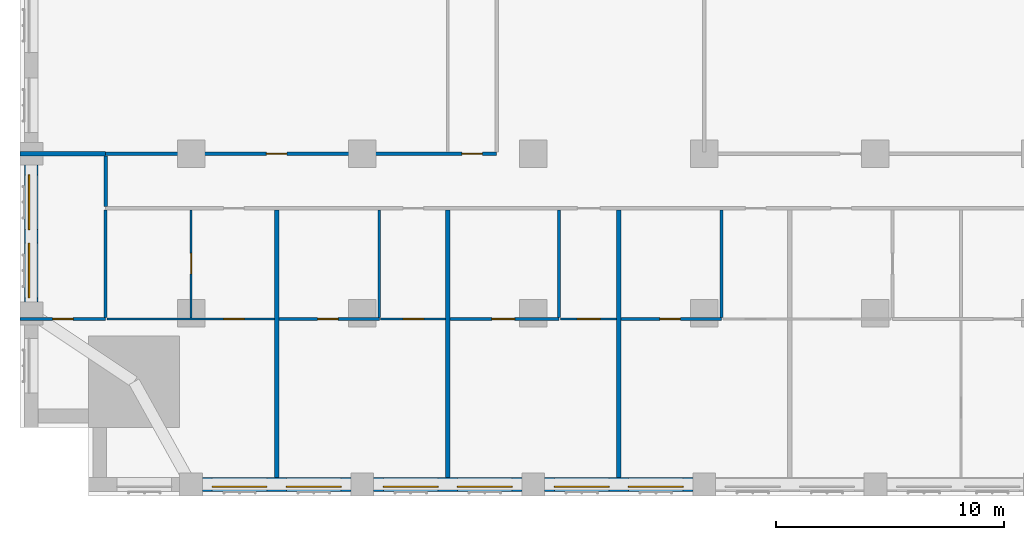
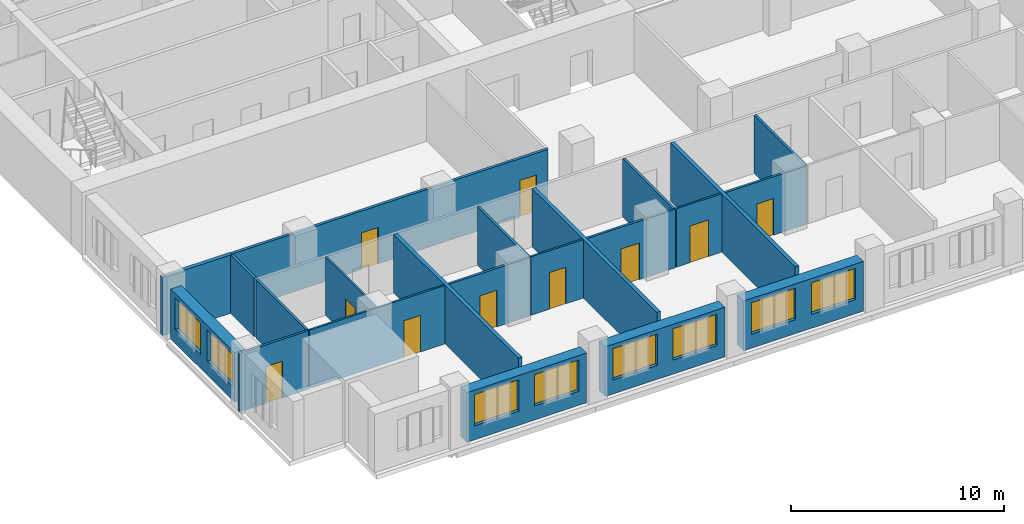
# One storey, part 4 of 14: 22 walls, 10 doors, 8 windows, 18 openings.
"""IFC4 building model written with IfcOpenShell, lengths in metres."""

from ifc_helpers import new_model, si_unit, direction, frame, frame_2d, origin, place, context, subcontext, project, spatial, rectangle, extrude, material, layer, layer_set, type_object, element, fill, save


model = new_model("IFC4")

# Units and contexts
model_context = context("Model", 3, precision=1e-05, world=origin(), true_north=direction((0.0, 1.0)))
body_context = subcontext(model_context, "Body", "Model", "MODEL_VIEW")
ifc_project = project(units=[si_unit("LENGTHUNIT", "METRE"), si_unit("AREAUNIT", "SQUARE_METRE"), si_unit("VOLUMEUNIT", "CUBIC_METRE"), si_unit("PLANEANGLEUNIT", "RADIAN"), si_unit("MASSUNIT", "GRAM", prefix="KILO")], contexts=[model_context])

# Site, building, storey
site_placement = place(None, origin())
site = spatial("IfcSite", under=ifc_project, at=site_placement, CompositionType="ELEMENT")
building_placement = place(site_placement, origin())
building = spatial("IfcBuilding", under=site, at=building_placement, Name="Tamorin Gate", CompositionType="ELEMENT")
storey_placement = place(building_placement, frame((0.0, 0.0, 37.60009765625)))
storey = spatial("IfcBuildingStorey", under=building, at=storey_placement, Name="L07", CompositionType="ELEMENT", Elevation=37.60009765625)

# Wall, openings, windows
ifc_material_1 = material(Name="Precast concrete C40/50", Category="concrete")
ifc_layer_1 = layer(ifc_material_1, 0.60009765625)
ifc_layer_set_1 = layer_set([ifc_layer_1], Name="Precast concrete C40/50")
wall_type_1 = type_object("IfcWallType", Name="Board-marked concrete facade panel 600", PredefinedType="SOLIDWALL", material=ifc_layer_set_1)
wall_1_placement = place(storey_placement, frame((38.0, 38.0, 0.0), z_axis=(0.0, 0.0, 1.0), x_axis=(1.0, 0.0, 0.0)))
wall_1 = element("IfcWall", 1, at=wall_1_placement, inside=storey, type_object=wall_type_1, Name="Facade panel", PredefinedType="SOLIDWALL", context=body_context, shape_type="SweptSolid", body=[
    extrude(rectangle(XDim=6.5, YDim=0.60009765625, at=frame_2d((3.25, 0.0))), origin(), (0.0, 0.0, 1.0), 2.849853515625),
])
opening_1_placement = place(wall_1_placement, frame((0.425048828125, 0.0, 0.800048828125)))
opening_1 = element("IfcOpeningElement", 2, at=opening_1_placement, cuts=wall_1, Name="Opening WN1", PredefinedType="OPENING", context=body_context, shape_type="SweptSolid", body=[
    extrude(rectangle(XDim=2.39990234375, YDim=1.800048828125, at=frame_2d((1.199951171875, 0.89990234375))), frame((0.0, 0.31005859375, 0.0), z_axis=(0.0, -1.0, 0.0), x_axis=(1.0, 0.0, 0.0)), (0.0, 0.0, 1.0), 0.6201171875),
])
opening_2_placement = place(wall_1_placement, frame((3.675048828125, 0.0, 0.800048828125)))
opening_2 = element("IfcOpeningElement", 3, at=opening_2_placement, cuts=wall_1, Name="Opening WN1", PredefinedType="OPENING", context=body_context, shape_type="SweptSolid", body=[
    extrude(rectangle(XDim=2.39990234375, YDim=1.800048828125, at=frame_2d((1.199951171875, 0.89990234375))), frame((0.0, 0.31005859375, 0.0), z_axis=(0.0, -1.0, 0.0), x_axis=(1.0, 0.0, 0.0)), (0.0, 0.0, 1.0), 0.6201171875),
])
ifc_material_2 = material(Name="Clear glass in aluminium frame", Category="aluminium")
window_type = type_object("IfcWindowType", Name="Deep-set window 2400x1800", PartitioningType="SINGLE_PANEL", PredefinedType="WINDOW", material=ifc_material_2)
window_1_placement = place(opening_1_placement, origin())
window_1 = element("IfcWindow", 4, at=window_1_placement, inside=storey, type_object=window_type, Name="Deep-set window", OverallHeight=1.800048828125, OverallWidth=2.39990234375, PartitioningType="SINGLE_PANEL", PredefinedType="WINDOW", context=body_context, shape_type="SweptSolid", body=[
    extrude(rectangle(XDim=2.39990234375, YDim=1.800048828125, at=frame_2d((1.199951171875, 0.89990234375))), frame((0.0, -0.070068359375, 0.0), z_axis=(0.0, -1.0, 0.0), x_axis=(1.0, 0.0, 0.0)), (0.0, 0.0, 1.0), 0.06005859375),
])
fill(opening_1, window_1)
window_2_placement = place(opening_2_placement, origin())
window_2 = element("IfcWindow", 5, at=window_2_placement, inside=storey, type_object=window_type, Name="Deep-set window", OverallHeight=1.800048828125, OverallWidth=2.39990234375, PartitioningType="SINGLE_PANEL", PredefinedType="WINDOW", context=body_context, shape_type="SweptSolid", body=[
    extrude(rectangle(XDim=2.39990234375, YDim=1.800048828125, at=frame_2d((1.199951171875, 0.89990234375))), frame((0.0, -0.070068359375, 0.0), z_axis=(0.0, -1.0, 0.0), x_axis=(1.0, 0.0, 0.0)), (0.0, 0.0, 1.0), 0.06005859375),
])
fill(opening_2, window_2)

wall_2_placement = place(storey_placement, frame((45.5, 38.0, 0.0), z_axis=(0.0, 0.0, 1.0), x_axis=(1.0, 0.0, 0.0)))
wall_2 = element("IfcWall", 6, at=wall_2_placement, inside=storey, type_object=wall_type_1, Name="Facade panel", PredefinedType="SOLIDWALL", context=body_context, shape_type="SweptSolid", body=[
    extrude(rectangle(XDim=6.5, YDim=0.60009765625, at=frame_2d((3.25, 0.0))), origin(), (0.0, 0.0, 1.0), 2.849853515625),
])
opening_3_placement = place(wall_2_placement, frame((0.425048828125, 0.0, 0.800048828125)))
opening_3 = element("IfcOpeningElement", 7, at=opening_3_placement, cuts=wall_2, Name="Opening WN1", PredefinedType="OPENING", context=body_context, shape_type="SweptSolid", body=[
    extrude(rectangle(XDim=2.39990234375, YDim=1.800048828125, at=frame_2d((1.199951171875, 0.89990234375))), frame((0.0, 0.31005859375, 0.0), z_axis=(0.0, -1.0, 0.0), x_axis=(1.0, 0.0, 0.0)), (0.0, 0.0, 1.0), 0.6201171875),
])
opening_4_placement = place(wall_2_placement, frame((3.675048828125, 0.0, 0.800048828125)))
opening_4 = element("IfcOpeningElement", 8, at=opening_4_placement, cuts=wall_2, Name="Opening WN1", PredefinedType="OPENING", context=body_context, shape_type="SweptSolid", body=[
    extrude(rectangle(XDim=2.39990234375, YDim=1.800048828125, at=frame_2d((1.199951171875, 0.89990234375))), frame((0.0, 0.31005859375, 0.0), z_axis=(0.0, -1.0, 0.0), x_axis=(1.0, 0.0, 0.0)), (0.0, 0.0, 1.0), 0.6201171875),
])
window_3_placement = place(opening_3_placement, origin())
window_3 = element("IfcWindow", 9, at=window_3_placement, inside=storey, type_object=window_type, Name="Deep-set window", OverallHeight=1.800048828125, OverallWidth=2.39990234375, PartitioningType="SINGLE_PANEL", PredefinedType="WINDOW", context=body_context, shape_type="SweptSolid", body=[
    extrude(rectangle(XDim=2.39990234375, YDim=1.800048828125, at=frame_2d((1.199951171875, 0.89990234375))), frame((0.0, -0.070068359375, 0.0), z_axis=(0.0, -1.0, 0.0), x_axis=(1.0, 0.0, 0.0)), (0.0, 0.0, 1.0), 0.06005859375),
])
fill(opening_3, window_3)
window_4_placement = place(opening_4_placement, origin())
window_4 = element("IfcWindow", 10, at=window_4_placement, inside=storey, type_object=window_type, Name="Deep-set window", OverallHeight=1.800048828125, OverallWidth=2.39990234375, PartitioningType="SINGLE_PANEL", PredefinedType="WINDOW", context=body_context, shape_type="SweptSolid", body=[
    extrude(rectangle(XDim=2.39990234375, YDim=1.800048828125, at=frame_2d((1.199951171875, 0.89990234375))), frame((0.0, -0.070068359375, 0.0), z_axis=(0.0, -1.0, 0.0), x_axis=(1.0, 0.0, 0.0)), (0.0, 0.0, 1.0), 0.06005859375),
])
fill(opening_4, window_4)

wall_3_placement = place(storey_placement, frame((53.0, 38.0, 0.0), z_axis=(0.0, 0.0, 1.0), x_axis=(1.0, 0.0, 0.0)))
wall_3 = element("IfcWall", 11, at=wall_3_placement, inside=storey, type_object=wall_type_1, Name="Facade panel", PredefinedType="SOLIDWALL", context=body_context, shape_type="SweptSolid", body=[
    extrude(rectangle(XDim=6.5, YDim=0.60009765625, at=frame_2d((3.25, 0.0))), origin(), (0.0, 0.0, 1.0), 2.849853515625),
])
opening_5_placement = place(wall_3_placement, frame((0.425048828125, 0.0, 0.800048828125)))
opening_5 = element("IfcOpeningElement", 12, at=opening_5_placement, cuts=wall_3, Name="Opening WN1", PredefinedType="OPENING", context=body_context, shape_type="SweptSolid", body=[
    extrude(rectangle(XDim=2.39990234375, YDim=1.800048828125, at=frame_2d((1.199951171875, 0.89990234375))), frame((0.0, 0.31005859375, 0.0), z_axis=(0.0, -1.0, 0.0), x_axis=(1.0, 0.0, 0.0)), (0.0, 0.0, 1.0), 0.6201171875),
])
opening_6_placement = place(wall_3_placement, frame((3.675048828125, 0.0, 0.800048828125)))
opening_6 = element("IfcOpeningElement", 13, at=opening_6_placement, cuts=wall_3, Name="Opening WN1", PredefinedType="OPENING", context=body_context, shape_type="SweptSolid", body=[
    extrude(rectangle(XDim=2.39990234375, YDim=1.800048828125, at=frame_2d((1.199951171875, 0.89990234375))), frame((0.0, 0.31005859375, 0.0), z_axis=(0.0, -1.0, 0.0), x_axis=(1.0, 0.0, 0.0)), (0.0, 0.0, 1.0), 0.6201171875),
])
window_5_placement = place(opening_5_placement, origin())
window_5 = element("IfcWindow", 14, at=window_5_placement, inside=storey, type_object=window_type, Name="Deep-set window", OverallHeight=1.800048828125, OverallWidth=2.39990234375, PartitioningType="SINGLE_PANEL", PredefinedType="WINDOW", context=body_context, shape_type="SweptSolid", body=[
    extrude(rectangle(XDim=2.39990234375, YDim=1.800048828125, at=frame_2d((1.199951171875, 0.89990234375))), frame((0.0, -0.070068359375, 0.0), z_axis=(0.0, -1.0, 0.0), x_axis=(1.0, 0.0, 0.0)), (0.0, 0.0, 1.0), 0.06005859375),
])
fill(opening_5, window_5)
window_6_placement = place(opening_6_placement, origin())
window_6 = element("IfcWindow", 15, at=window_6_placement, inside=storey, type_object=window_type, Name="Deep-set window", OverallHeight=1.800048828125, OverallWidth=2.39990234375, PartitioningType="SINGLE_PANEL", PredefinedType="WINDOW", context=body_context, shape_type="SweptSolid", body=[
    extrude(rectangle(XDim=2.39990234375, YDim=1.800048828125, at=frame_2d((1.199951171875, 0.89990234375))), frame((0.0, -0.070068359375, 0.0), z_axis=(0.0, -1.0, 0.0), x_axis=(1.0, 0.0, 0.0)), (0.0, 0.0, 1.0), 0.06005859375),
])
fill(opening_6, window_6)

wall_4_placement = place(storey_placement, frame((30.5, 52.0, 0.0), z_axis=(0.0, 0.0, 1.0), x_axis=(0.0, -1.0, 0.0)))
wall_4 = element("IfcWall", 16, at=wall_4_placement, inside=storey, type_object=wall_type_1, Name="Facade panel", PredefinedType="SOLIDWALL", context=body_context, shape_type="SweptSolid", body=[
    extrude(rectangle(XDim=6.0, YDim=0.60009765625, at=frame_2d((3.0, 0.0))), origin(), (0.0, 0.0, 1.0), 2.849853515625),
])
opening_7_placement = place(wall_4_placement, frame((3.425048828125, 0.0, 0.800048828125)))
opening_7 = element("IfcOpeningElement", 17, at=opening_7_placement, cuts=wall_4, Name="Opening WN1", PredefinedType="OPENING", context=body_context, shape_type="SweptSolid", body=[
    extrude(rectangle(XDim=2.39990234375, YDim=1.800048828125, at=frame_2d((1.199951171875, 0.89990234375))), frame((0.0, 0.31005859375, 0.0), z_axis=(0.0, -1.0, 0.0), x_axis=(1.0, 0.0, 0.0)), (0.0, 0.0, 1.0), 0.6201171875),
])
opening_8_placement = place(wall_4_placement, frame((0.425048828125, 0.0, 0.800048828125)))
opening_8 = element("IfcOpeningElement", 18, at=opening_8_placement, cuts=wall_4, Name="Opening WN1", PredefinedType="OPENING", context=body_context, shape_type="SweptSolid", body=[
    extrude(rectangle(XDim=2.39990234375, YDim=1.800048828125, at=frame_2d((1.199951171875, 0.89990234375))), frame((0.0, 0.31005859375, 0.0), z_axis=(0.0, -1.0, 0.0), x_axis=(1.0, 0.0, 0.0)), (0.0, 0.0, 1.0), 0.6201171875),
])
window_7_placement = place(opening_7_placement, origin())
window_7 = element("IfcWindow", 19, at=window_7_placement, inside=storey, type_object=window_type, Name="Deep-set window", OverallHeight=1.800048828125, OverallWidth=2.39990234375, PartitioningType="SINGLE_PANEL", PredefinedType="WINDOW", context=body_context, shape_type="SweptSolid", body=[
    extrude(rectangle(XDim=2.39990234375, YDim=1.800048828125, at=frame_2d((1.199951171875, 0.89990234375))), frame((0.0, -0.070068359375, 0.0), z_axis=(0.0, -1.0, 0.0), x_axis=(1.0, 0.0, 0.0)), (0.0, 0.0, 1.0), 0.06005859375),
])
fill(opening_7, window_7)
window_8_placement = place(opening_8_placement, origin())
window_8 = element("IfcWindow", 20, at=window_8_placement, inside=storey, type_object=window_type, Name="Deep-set window", OverallHeight=1.800048828125, OverallWidth=2.39990234375, PartitioningType="SINGLE_PANEL", PredefinedType="WINDOW", context=body_context, shape_type="SweptSolid", body=[
    extrude(rectangle(XDim=2.39990234375, YDim=1.800048828125, at=frame_2d((1.199951171875, 0.89990234375))), frame((0.0, -0.070068359375, 0.0), z_axis=(0.0, -1.0, 0.0), x_axis=(1.0, 0.0, 0.0)), (0.0, 0.0, 1.0), 0.06005859375),
])
fill(opening_8, window_8)

# Wall, openings, doors
ifc_material_3 = material(Name="Gypsum board partition")
ifc_layer_2 = layer(ifc_material_3, 0.14990234375)
ifc_layer_set_2 = layer_set([ifc_layer_2], Name="Corridor wall 150")
wall_type_2 = type_object("IfcWallType", Name="Corridor wall 150", PredefinedType="PARTITIONING", material=ifc_layer_set_2)
wall_5_placement = place(storey_placement, frame((33.75, 52.5, 0.0), z_axis=(0.0, 0.0, 1.0), x_axis=(1.0, 0.0, 0.0)))
wall_5 = element("IfcWall", 21, at=wall_5_placement, inside=storey, type_object=wall_type_2, Name="Corridor wall 150", PredefinedType="PARTITIONING", context=body_context, shape_type="SweptSolid", body=[
    extrude(rectangle(XDim=17.14990234375, YDim=0.14990234375, at=frame_2d((8.574951171875, 0.0))), origin(), (0.0, 0.0, 1.0), 3.349853515625),
])
opening_9_placement = place(wall_5_placement, frame((7.050048828125, 0.0, 0.0)))
opening_9 = element("IfcOpeningElement", 22, at=opening_9_placement, cuts=wall_5, Name="Opening DH2067", PredefinedType="OPENING", context=body_context, shape_type="SweptSolid", body=[
    extrude(rectangle(XDim=0.89990234375, YDim=2.10009765625, at=frame_2d((0.449951171875, 1.050048828125))), frame((0.0, 0.0849609375, 0.0), z_axis=(0.0, -1.0, 0.0), x_axis=(1.0, 0.0, 0.0)), (0.0, 0.0, 1.0), 0.169921875),
])
opening_10_placement = place(wall_5_placement, frame((15.625, 0.0, 0.0)))
opening_10 = element("IfcOpeningElement", 23, at=opening_10_placement, cuts=wall_5, Name="Opening DH2068", PredefinedType="OPENING", context=body_context, shape_type="SweptSolid", body=[
    extrude(rectangle(XDim=0.89990234375, YDim=2.10009765625, at=frame_2d((0.449951171875, 1.050048828125))), frame((0.0, 0.0849609375, 0.0), z_axis=(0.0, -1.0, 0.0), x_axis=(1.0, 0.0, 0.0)), (0.0, 0.0, 1.0), 0.169921875),
])
ifc_material_4 = material(Name="Timber door leaf", Category="wood")
door_type_1 = type_object("IfcDoorType", Name="Door 900 x 2100 FD30S", OperationType="NOTDEFINED", PredefinedType="DOOR", material=ifc_material_4)
door_1_placement = place(opening_9_placement, origin())
door_1 = element("IfcDoor", 24, at=door_1_placement, inside=storey, type_object=door_type_1, Name="Door DH2067", OperationType="SINGLE_SWING_LEFT", OverallHeight=2.10009765625, OverallWidth=0.89990234375, PredefinedType="DOOR", context=body_context, shape_type="SweptSolid", body=[
    extrude(rectangle(XDim=0.89990234375, YDim=2.10009765625, at=frame_2d((0.449951171875, 1.050048828125))), frame((0.0, 0.02490234375, 0.0), z_axis=(0.0, -1.0, 0.0), x_axis=(1.0, 0.0, 0.0)), (0.0, 0.0, 1.0), 0.050048828125),
])
fill(opening_9, door_1)
door_2_placement = place(opening_10_placement, origin())
door_2 = element("IfcDoor", 25, at=door_2_placement, inside=storey, type_object=door_type_1, Name="Door DH2068", OperationType="SINGLE_SWING_LEFT", OverallHeight=2.10009765625, OverallWidth=0.89990234375, PredefinedType="DOOR", context=body_context, shape_type="SweptSolid", body=[
    extrude(rectangle(XDim=0.89990234375, YDim=2.10009765625, at=frame_2d((0.449951171875, 1.050048828125))), frame((0.0, 0.02490234375, 0.0), z_axis=(0.0, -1.0, 0.0), x_axis=(1.0, 0.0, 0.0)), (0.0, 0.0, 1.0), 0.050048828125),
])
fill(opening_10, door_2)

# Walls
wall_6_placement = place(storey_placement, frame((33.75, 50.175048828125, 0.0), z_axis=(0.0, 0.0, 1.0), x_axis=(0.0, 1.0, 0.0)))
element("IfcWall", 26, at=wall_6_placement, inside=storey, type_object=wall_type_2, Name="Corridor wall 150", PredefinedType="PARTITIONING", context=body_context, shape_type="SweptSolid", body=[
    extrude(rectangle(XDim=2.224853515625, YDim=0.14990234375, at=frame_2d((1.1123046875, 0.0))), origin(), (0.0, 0.0, 1.0), 3.349853515625),
])
ifc_layer_3 = layer(ifc_material_3, 0.199951171875)
ifc_layer_set_3 = layer_set([ifc_layer_3], Name="Demising wall 200")
wall_type_3 = type_object("IfcWallType", Name="Demising wall 200", PredefinedType="PARTITIONING", material=ifc_layer_set_3)
wall_7_placement = place(storey_placement, frame((30.0, 52.5, 0.0), z_axis=(0.0, 0.0, 1.0), x_axis=(1.0, 0.0, 0.0)))
element("IfcWall", 27, at=wall_7_placement, inside=storey, type_object=wall_type_3, Name="Demising wall 200", PredefinedType="PARTITIONING", context=body_context, shape_type="SweptSolid", body=[
    extrude(rectangle(XDim=3.75, YDim=0.199951171875, at=frame_2d((1.875, 0.0))), origin(), (0.0, 0.0, 1.0), 3.349853515625),
])
for number, where, z_axis, x_axis, name in (
    (28, (41.25, 38.31005859375, 0.0), (0.0, 0.0, 1.0), (0.0, 1.0, 0.0), "Demising wall 200"),
    (29, (48.75, 38.31005859375, 0.0), (0.0, 0.0, 1.0), (0.0, 1.0, 0.0), "Demising wall 200"),
    (30, (56.25, 38.31005859375, 0.0), (0.0, 0.0, 1.0), (0.0, 1.0, 0.0), "Demising wall 200"),
):
    element("IfcWall", number, at=place(storey_placement, frame(where, z_axis=z_axis, x_axis=x_axis)), inside=storey, type_object=wall_type_3, Name=name, PredefinedType="PARTITIONING", context=body_context, shape_type="SweptSolid", body=[
        extrude(rectangle(XDim=11.71484375, YDim=0.199951171875, at=frame_2d((5.857421875, 0.0))), origin(), (0.0, 0.0, 1.0), 3.349853515625),
    ])

# Wall, opening, door
ifc_layer_4 = layer(ifc_material_3, 0.10009765625)
ifc_layer_set_4 = layer_set([ifc_layer_4], Name="Room partition 100")
wall_type_4 = type_object("IfcWallType", Name="Room partition 100", PredefinedType="PARTITIONING", material=ifc_layer_set_4)
wall_8_placement = place(storey_placement, frame((33.8125, 45.25, 0.0), z_axis=(0.0, 0.0, 1.0), x_axis=(1.0, 0.0, 0.0)))
wall_8 = element("IfcWall", 31, at=wall_8_placement, inside=storey, type_object=wall_type_4, Name="Room partition 100", PredefinedType="PARTITIONING", context=body_context, shape_type="SweptSolid", body=[
    extrude(rectangle(XDim=7.33740234375, YDim=0.10009765625, at=frame_2d((3.668701171875, 0.0))), origin(), (0.0, 0.0, 1.0), 3.349853515625),
])
opening_11_placement = place(wall_8_placement, frame((5.112548828125, 0.0, 0.0)))
opening_11 = element("IfcOpeningElement", 32, at=opening_11_placement, cuts=wall_8, Name="Opening DH2004", PredefinedType="OPENING", context=body_context, shape_type="SweptSolid", body=[
    extrude(rectangle(XDim=0.89990234375, YDim=2.10009765625, at=frame_2d((0.449951171875, 1.050048828125))), frame((0.0, 0.06005859375, 0.0), z_axis=(0.0, -1.0, 0.0), x_axis=(1.0, 0.0, 0.0)), (0.0, 0.0, 1.0), 0.1201171875),
])
door_type_2 = type_object("IfcDoorType", Name="Door 900 x 2100", OperationType="NOTDEFINED", PredefinedType="DOOR", material=ifc_material_4)
door_3_placement = place(opening_11_placement, origin())
door_3 = element("IfcDoor", 33, at=door_3_placement, inside=storey, type_object=door_type_2, Name="Door DH2004", OperationType="SINGLE_SWING_LEFT", OverallHeight=2.10009765625, OverallWidth=0.89990234375, PredefinedType="DOOR", context=body_context, shape_type="SweptSolid", body=[
    extrude(rectangle(XDim=0.89990234375, YDim=2.10009765625, at=frame_2d((0.449951171875, 1.050048828125))), frame((0.0, 0.02490234375, 0.0), z_axis=(0.0, -1.0, 0.0), x_axis=(1.0, 0.0, 0.0)), (0.0, 0.0, 1.0), 0.050048828125),
])
fill(opening_11, door_3)

wall_9_placement = place(storey_placement, frame((45.8125, 45.25, 0.0), z_axis=(0.0, 0.0, 1.0), x_axis=(1.0, 0.0, 0.0)))
wall_9 = element("IfcWall", 34, at=wall_9_placement, inside=storey, type_object=wall_type_4, Name="Room partition 100", PredefinedType="PARTITIONING", context=body_context, shape_type="SweptSolid", body=[
    extrude(rectangle(XDim=2.83740234375, YDim=0.10009765625, at=frame_2d((1.418701171875, 0.0))), origin(), (0.0, 0.0, 1.0), 3.349853515625),
])
opening_12_placement = place(wall_9_placement, frame((0.987548828125, 0.0, 0.0)))
opening_12 = element("IfcOpeningElement", 35, at=opening_12_placement, cuts=wall_9, Name="Opening DH2007", PredefinedType="OPENING", context=body_context, shape_type="SweptSolid", body=[
    extrude(rectangle(XDim=0.89990234375, YDim=2.10009765625, at=frame_2d((0.449951171875, 1.050048828125))), frame((0.0, 0.06005859375, 0.0), z_axis=(0.0, -1.0, 0.0), x_axis=(1.0, 0.0, 0.0)), (0.0, 0.0, 1.0), 0.1201171875),
])
door_4_placement = place(opening_12_placement, origin())
door_4 = element("IfcDoor", 36, at=door_4_placement, inside=storey, type_object=door_type_2, Name="Door DH2007", OperationType="SINGLE_SWING_LEFT", OverallHeight=2.10009765625, OverallWidth=0.89990234375, PredefinedType="DOOR", context=body_context, shape_type="SweptSolid", body=[
    extrude(rectangle(XDim=0.89990234375, YDim=2.10009765625, at=frame_2d((0.449951171875, 1.050048828125))), frame((0.0, 0.02490234375, 0.0), z_axis=(0.0, -1.0, 0.0), x_axis=(1.0, 0.0, 0.0)), (0.0, 0.0, 1.0), 0.050048828125),
])
fill(opening_12, door_4)

wall_10_placement = place(storey_placement, frame((53.6875, 45.25, 0.0), z_axis=(0.0, 0.0, 1.0), x_axis=(1.0, 0.0, 0.0)))
wall_10 = element("IfcWall", 37, at=wall_10_placement, inside=storey, type_object=wall_type_4, Name="Room partition 100", PredefinedType="PARTITIONING", context=body_context, shape_type="SweptSolid", body=[
    extrude(rectangle(XDim=2.46240234375, YDim=0.10009765625, at=frame_2d((1.231201171875, 0.0))), origin(), (0.0, 0.0, 1.0), 3.349853515625),
])
opening_13_placement = place(wall_10_placement, frame((0.75, 0.0, 0.0)))
opening_13 = element("IfcOpeningElement", 38, at=opening_13_placement, cuts=wall_10, Name="Opening DH2010", PredefinedType="OPENING", context=body_context, shape_type="SweptSolid", body=[
    extrude(rectangle(XDim=1.0, YDim=2.10009765625, at=frame_2d((0.5, 1.050048828125))), frame((0.0, 0.06005859375, 0.0), z_axis=(0.0, -1.0, 0.0), x_axis=(1.0, 0.0, 0.0)), (0.0, 0.0, 1.0), 0.1201171875),
])
door_type_3 = type_object("IfcDoorType", Name="Door 1000 x 2100", OperationType="NOTDEFINED", PredefinedType="DOOR", material=ifc_material_4)
door_5_placement = place(opening_13_placement, origin())
door_5 = element("IfcDoor", 39, at=door_5_placement, inside=storey, type_object=door_type_3, Name="Door DH2010", OperationType="SINGLE_SWING_LEFT", OverallHeight=2.10009765625, OverallWidth=1.0, PredefinedType="DOOR", context=body_context, shape_type="SweptSolid", body=[
    extrude(rectangle(XDim=1.0, YDim=2.10009765625, at=frame_2d((0.5, 1.050048828125))), frame((0.0, 0.02490234375, 0.0), z_axis=(0.0, -1.0, 0.0), x_axis=(1.0, 0.0, 0.0)), (0.0, 0.0, 1.0), 0.050048828125),
])
fill(opening_13, door_5)

wall_11_placement = place(storey_placement, frame((37.5, 45.300048828125, 0.0), z_axis=(0.0, 0.0, 1.0), x_axis=(0.0, 1.0, 0.0)))
wall_11 = element("IfcWall", 40, at=wall_11_placement, inside=storey, type_object=wall_type_4, Name="Room partition 100", PredefinedType="PARTITIONING", context=body_context, shape_type="SweptSolid", body=[
    extrude(rectangle(XDim=4.724853515625, YDim=0.10009765625, at=frame_2d((2.3623046875, 0.0))), origin(), (0.0, 0.0, 1.0), 3.349853515625),
])
opening_14_placement = place(wall_11_placement, frame((1.925048828125, 0.0, 0.0)))
opening_14 = element("IfcOpeningElement", 41, at=opening_14_placement, cuts=wall_11, Name="Opening DH2002", PredefinedType="OPENING", context=body_context, shape_type="SweptSolid", body=[
    extrude(rectangle(XDim=0.89990234375, YDim=2.10009765625, at=frame_2d((0.449951171875, 1.050048828125))), frame((0.0, 0.06005859375, 0.0), z_axis=(0.0, -1.0, 0.0), x_axis=(1.0, 0.0, 0.0)), (0.0, 0.0, 1.0), 0.1201171875),
])
door_6_placement = place(opening_14_placement, origin())
door_6 = element("IfcDoor", 42, at=door_6_placement, inside=storey, type_object=door_type_2, Name="Door DH2002", OperationType="SINGLE_SWING_RIGHT", OverallHeight=2.10009765625, OverallWidth=0.89990234375, PredefinedType="DOOR", context=body_context, shape_type="SweptSolid", body=[
    extrude(rectangle(XDim=0.89990234375, YDim=2.10009765625, at=frame_2d((0.449951171875, 1.050048828125))), frame((0.0, 0.02490234375, 0.0), z_axis=(0.0, -1.0, 0.0), x_axis=(1.0, 0.0, 0.0)), (0.0, 0.0, 1.0), 0.050048828125),
])
fill(opening_14, door_6)

ifc_layer_5 = layer(ifc_material_3, 0.125)
ifc_layer_set_5 = layer_set([ifc_layer_5], Name="Wet wall 125")
wall_type_5 = type_object("IfcWallType", Name="Wet wall 125", PredefinedType="PARTITIONING", material=ifc_layer_set_5)
wall_12_placement = place(storey_placement, frame((30.0, 45.25, 0.0), z_axis=(0.0, 0.0, 1.0), x_axis=(1.0, 0.0, 0.0)))
wall_12 = element("IfcWall", 43, at=wall_12_placement, inside=storey, type_object=wall_type_5, Name="Wet wall 125", PredefinedType="PARTITIONING", context=body_context, shape_type="SweptSolid", body=[
    extrude(rectangle(XDim=3.75, YDim=0.125, at=frame_2d((1.875, 0.0))), origin(), (0.0, 0.0, 1.0), 3.349853515625),
])
opening_15_placement = place(wall_12_placement, frame((1.425048828125, 0.0, 0.0)))
opening_15 = element("IfcOpeningElement", 44, at=opening_15_placement, cuts=wall_12, Name="Opening DH2001", PredefinedType="OPENING", context=body_context, shape_type="SweptSolid", body=[
    extrude(rectangle(XDim=0.89990234375, YDim=2.10009765625, at=frame_2d((0.449951171875, 1.050048828125))), frame((0.0, 0.072509765625, 0.0), z_axis=(0.0, -1.0, 0.0), x_axis=(1.0, 0.0, 0.0)), (0.0, 0.0, 1.0), 0.14501953125),
])
door_7_placement = place(opening_15_placement, origin())
door_7 = element("IfcDoor", 45, at=door_7_placement, inside=storey, type_object=door_type_2, Name="Door DH2001", OperationType="SINGLE_SWING_LEFT", OverallHeight=2.10009765625, OverallWidth=0.89990234375, PredefinedType="DOOR", context=body_context, shape_type="SweptSolid", body=[
    extrude(rectangle(XDim=0.89990234375, YDim=2.10009765625, at=frame_2d((0.449951171875, 1.050048828125))), frame((0.0, 0.02490234375, 0.0), z_axis=(0.0, -1.0, 0.0), x_axis=(1.0, 0.0, 0.0)), (0.0, 0.0, 1.0), 0.050048828125),
])
fill(opening_15, door_7)

wall_13_placement = place(storey_placement, frame((41.35009765625, 45.25, 0.0), z_axis=(0.0, 0.0, 1.0), x_axis=(1.0, 0.0, 0.0)))
wall_13 = element("IfcWall", 46, at=wall_13_placement, inside=storey, type_object=wall_type_5, Name="Wet wall 125", PredefinedType="PARTITIONING", context=body_context, shape_type="SweptSolid", body=[
    extrude(rectangle(XDim=4.39990234375, YDim=0.125, at=frame_2d((2.199951171875, 0.0))), origin(), (0.0, 0.0, 1.0), 3.349853515625),
])
opening_16_placement = place(wall_13_placement, frame((1.699951171875, 0.0, 0.0)))
opening_16 = element("IfcOpeningElement", 47, at=opening_16_placement, cuts=wall_13, Name="Opening DH2005", PredefinedType="OPENING", context=body_context, shape_type="SweptSolid", body=[
    extrude(rectangle(XDim=0.89990234375, YDim=2.10009765625, at=frame_2d((0.449951171875, 1.050048828125))), frame((0.0, 0.072509765625, 0.0), z_axis=(0.0, -1.0, 0.0), x_axis=(1.0, 0.0, 0.0)), (0.0, 0.0, 1.0), 0.14501953125),
])
door_8_placement = place(opening_16_placement, origin())
door_8 = element("IfcDoor", 48, at=door_8_placement, inside=storey, type_object=door_type_2, Name="Door DH2005", OperationType="SINGLE_SWING_LEFT", OverallHeight=2.10009765625, OverallWidth=0.89990234375, PredefinedType="DOOR", context=body_context, shape_type="SweptSolid", body=[
    extrude(rectangle(XDim=0.89990234375, YDim=2.10009765625, at=frame_2d((0.449951171875, 1.050048828125))), frame((0.0, 0.02490234375, 0.0), z_axis=(0.0, -1.0, 0.0), x_axis=(1.0, 0.0, 0.0)), (0.0, 0.0, 1.0), 0.050048828125),
])
fill(opening_16, door_8)

wall_14_placement = place(storey_placement, frame((48.85009765625, 45.25, 0.0), z_axis=(0.0, 0.0, 1.0), x_axis=(1.0, 0.0, 0.0)))
wall_14 = element("IfcWall", 49, at=wall_14_placement, inside=storey, type_object=wall_type_5, Name="Wet wall 125", PredefinedType="PARTITIONING", context=body_context, shape_type="SweptSolid", body=[
    extrude(rectangle(XDim=4.77490234375, YDim=0.125, at=frame_2d((2.387451171875, 0.0))), origin(), (0.0, 0.0, 1.0), 3.349853515625),
])
opening_17_placement = place(wall_14_placement, frame((1.83740234375, 0.0, 0.0)))
opening_17 = element("IfcOpeningElement", 50, at=opening_17_placement, cuts=wall_14, Name="Opening DH2008", PredefinedType="OPENING", context=body_context, shape_type="SweptSolid", body=[
    extrude(rectangle(XDim=1.0, YDim=2.10009765625, at=frame_2d((0.5, 1.050048828125))), frame((0.0, 0.072509765625, 0.0), z_axis=(0.0, -1.0, 0.0), x_axis=(1.0, 0.0, 0.0)), (0.0, 0.0, 1.0), 0.14501953125),
])
door_9_placement = place(opening_17_placement, origin())
door_9 = element("IfcDoor", 51, at=door_9_placement, inside=storey, type_object=door_type_3, Name="Door DH2008", OperationType="SINGLE_SWING_LEFT", OverallHeight=2.10009765625, OverallWidth=1.0, PredefinedType="DOOR", context=body_context, shape_type="SweptSolid", body=[
    extrude(rectangle(XDim=1.0, YDim=2.10009765625, at=frame_2d((0.5, 1.050048828125))), frame((0.0, 0.02490234375, 0.0), z_axis=(0.0, -1.0, 0.0), x_axis=(1.0, 0.0, 0.0)), (0.0, 0.0, 1.0), 0.050048828125),
])
fill(opening_17, door_9)

wall_15_placement = place(storey_placement, frame((56.35009765625, 45.25, 0.0), z_axis=(0.0, 0.0, 1.0), x_axis=(1.0, 0.0, 0.0)))
wall_15 = element("IfcWall", 52, at=wall_15_placement, inside=storey, type_object=wall_type_5, Name="Wet wall 125", PredefinedType="PARTITIONING", context=body_context, shape_type="SweptSolid", body=[
    extrude(rectangle(XDim=4.39990234375, YDim=0.125, at=frame_2d((2.199951171875, 0.0))), origin(), (0.0, 0.0, 1.0), 3.349853515625),
])
opening_18_placement = place(wall_15_placement, frame((1.699951171875, 0.0, 0.0)))
opening_18 = element("IfcOpeningElement", 53, at=opening_18_placement, cuts=wall_15, Name="Opening DH2011", PredefinedType="OPENING", context=body_context, shape_type="SweptSolid", body=[
    extrude(rectangle(XDim=0.89990234375, YDim=2.10009765625, at=frame_2d((0.449951171875, 1.050048828125))), frame((0.0, 0.072509765625, 0.0), z_axis=(0.0, -1.0, 0.0), x_axis=(1.0, 0.0, 0.0)), (0.0, 0.0, 1.0), 0.14501953125),
])
door_10_placement = place(opening_18_placement, origin())
door_10 = element("IfcDoor", 54, at=door_10_placement, inside=storey, type_object=door_type_2, Name="Door DH2011", OperationType="SINGLE_SWING_LEFT", OverallHeight=2.10009765625, OverallWidth=0.89990234375, PredefinedType="DOOR", context=body_context, shape_type="SweptSolid", body=[
    extrude(rectangle(XDim=0.89990234375, YDim=2.10009765625, at=frame_2d((0.449951171875, 1.050048828125))), frame((0.0, 0.02490234375, 0.0), z_axis=(0.0, -1.0, 0.0), x_axis=(1.0, 0.0, 0.0)), (0.0, 0.0, 1.0), 0.050048828125),
])
fill(opening_18, door_10)

# Walls
for number, where, z_axis, x_axis, name in (
    (55, (33.75, 45.3125, 0.0), (0.0, 0.0, 1.0), (0.0, 1.0, 0.0), "Wet wall 125"),
    (56, (45.75, 45.3125, 0.0), (0.0, 0.0, 1.0), (0.0, 1.0, 0.0), "Wet wall 125"),
    (57, (53.625, 45.3125, 0.0), (0.0, 0.0, 1.0), (0.0, 1.0, 0.0), "Wet wall 125"),
    (58, (60.75, 45.3125, 0.0), (0.0, 0.0, 1.0), (0.0, 1.0, 0.0), "Wet wall 125"),
):
    element("IfcWall", number, at=place(storey_placement, frame(where, z_axis=z_axis, x_axis=x_axis)), inside=storey, type_object=wall_type_5, Name=name, PredefinedType="PARTITIONING", context=body_context, shape_type="SweptSolid", body=[
        extrude(rectangle(XDim=4.71240234375, YDim=0.125, at=frame_2d((2.356201171875, 0.0))), origin(), (0.0, 0.0, 1.0), 3.349853515625),
    ])

save(model, "model.ifc")
